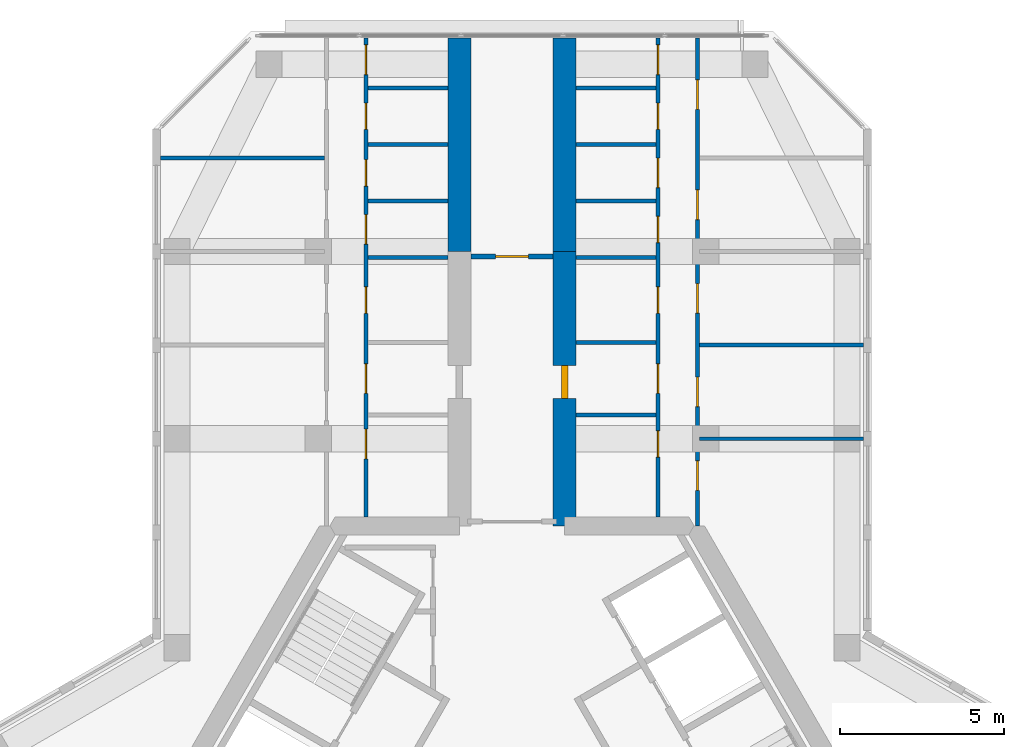
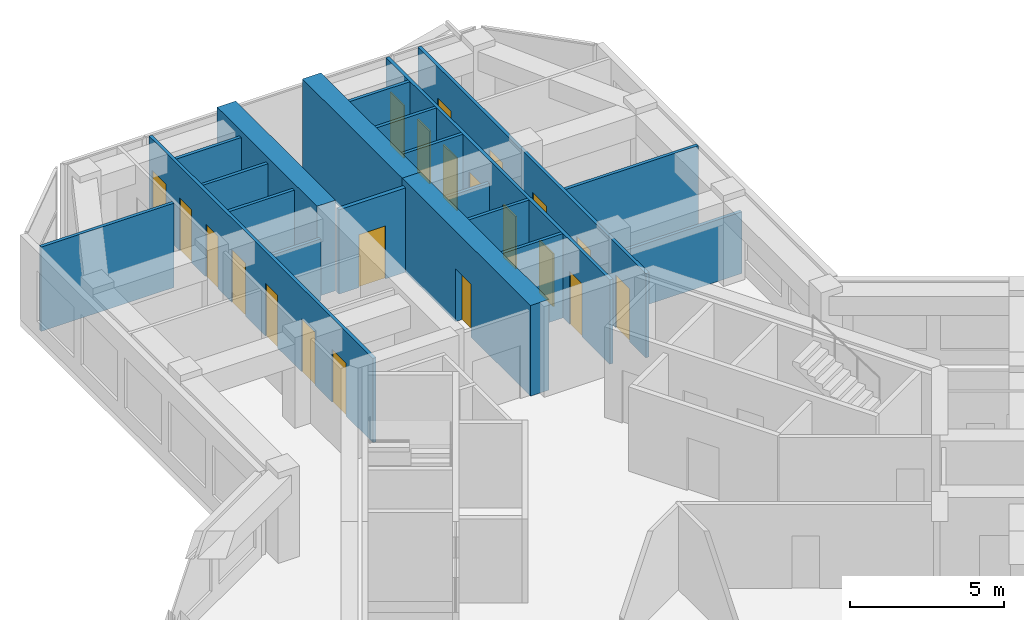
# One storey, part 12 of 14: 21 doors, 20 walls, 21 openings.
"""IFC4 building model written with IfcOpenShell, lengths in metres."""

from ifc_helpers import new_model, si_unit, direction, frame, frame_2d, origin, place, context, subcontext, project, spatial, rectangle, extrude, material, layer, layer_set, type_object, element, fill, save


model = new_model("IFC4")

# Units and contexts
model_context = context("Model", 3, precision=1e-05, world=origin(), true_north=direction((0.0, 1.0)))
body_context = subcontext(model_context, "Body", "Model", "MODEL_VIEW")
ifc_project = project(units=[si_unit("LENGTHUNIT", "METRE"), si_unit("AREAUNIT", "SQUARE_METRE"), si_unit("VOLUMEUNIT", "CUBIC_METRE"), si_unit("PLANEANGLEUNIT", "RADIAN"), si_unit("MASSUNIT", "GRAM", prefix="KILO")], contexts=[model_context])

# Site, building, storey
site_placement = place(None, origin())
site = spatial("IfcSite", under=ifc_project, at=site_placement, CompositionType="ELEMENT")
building_placement = place(site_placement, origin())
building = spatial("IfcBuilding", under=site, at=building_placement, Name="Kosmar Iwan School Tower", CompositionType="ELEMENT")
storey_placement = place(building_placement, frame((0.0, 0.0, 281.800048828125)))
storey = spatial("IfcBuildingStorey", under=building, at=storey_placement, Name="L71", CompositionType="ELEMENT", Elevation=281.800048828125)

# Wall
ifc_material_1 = material(Name="Concrete C50/60", Category="concrete")
ifc_layer_1 = layer(ifc_material_1, 0.699951171875)
ifc_layer_set_1 = layer_set([ifc_layer_1], Name="Corridor buttress wall 700")
wall_type_1 = type_object("IfcWallType", Name="Corridor buttress wall 700", PredefinedType="SHEAR", material=ifc_layer_set_1)
wall_1_placement = place(storey_placement, frame((-1.60009765625, 17.949951171875, 0.0), z_axis=(0.0, 0.0, 1.0), x_axis=(0.0, 1.0, 0.0)))
element("IfcWall", 1, at=wall_1_placement, inside=storey, type_object=wall_type_1, Name="Corridor wall AL bay 2", PredefinedType="SHEAR", context=body_context, shape_type="SweptSolid", body=[
    extrude(rectangle(XDim=6.4951171875, YDim=0.699951171875, at=frame_2d((3.24755859375, 0.0))), origin(), (0.0, 0.0, 1.0), 3.599853515625),
])

# Wall, opening, door
wall_2_placement = place(storey_placement, frame((1.60009765625, 9.60009765625, 0.0), z_axis=(0.0, 0.0, 1.0), x_axis=(0.0, 1.0, 0.0)))
wall_2 = element("IfcWall", 2, at=wall_2_placement, inside=storey, type_object=wall_type_1, Name="Corridor wall AR", PredefinedType="SHEAR", context=body_context, shape_type="SweptSolid", body=[
    extrude(rectangle(XDim=8.349853515625, YDim=0.699951171875, at=frame_2d((4.1748046875, 0.0))), origin(), (0.0, 0.0, 1.0), 3.599853515625),
])
opening_1_placement = place(wall_2_placement, frame((3.8798828125, 0.0, 0.0)))
opening_1 = element("IfcOpeningElement", 3, at=opening_1_placement, cuts=wall_2, Name="Opening D1", PredefinedType="OPENING", context=body_context, shape_type="SweptSolid", body=[
    extrude(rectangle(XDim=1.0, YDim=2.10009765625, at=frame_2d((0.5, 1.050048828125))), frame((0.0, 0.362060546875, 0.0), z_axis=(0.0, -1.0, 0.0), x_axis=(1.0, 0.0, 0.0)), (0.0, 0.0, 1.0), 0.723876953125),
])
ifc_material_2 = material(Name="Timber fire door in steel frame", Category="steel")
door_type_1 = type_object("IfcDoorType", Name="Flat entrance door 1000x2100", OperationType="SINGLE_SWING_LEFT", PredefinedType="DOOR", material=ifc_material_2)
door_1_placement = place(opening_1_placement, origin())
door_1 = element("IfcDoor", 4, at=door_1_placement, inside=storey, type_object=door_type_1, Name="Flat L71-AR1 entrance door", OperationType="SINGLE_SWING_RIGHT", OverallHeight=2.10009765625, OverallWidth=1.0, PredefinedType="DOOR", context=body_context, shape_type="SweptSolid", body=[
    extrude(rectangle(XDim=1.0, YDim=2.10009765625, at=frame_2d((0.5, 1.050048828125))), frame((0.0, 0.10009765625, 0.0), z_axis=(0.0, -1.0, 0.0), x_axis=(1.0, 0.0, 0.0)), (0.0, 0.0, 1.0), 0.199951171875),
])
fill(opening_1, door_1)

# Wall
wall_3_placement = place(storey_placement, frame((1.60009765625, 17.949951171875, 0.0), z_axis=(0.0, 0.0, 1.0), x_axis=(0.0, 1.0, 0.0)))
element("IfcWall", 5, at=wall_3_placement, inside=storey, type_object=wall_type_1, Name="Corridor wall AR bay 2", PredefinedType="SHEAR", context=body_context, shape_type="SweptSolid", body=[
    extrude(rectangle(XDim=6.4951171875, YDim=0.699951171875, at=frame_2d((3.24755859375, 0.0))), origin(), (0.0, 0.0, 1.0), 3.599853515625),
])

# Wall, opening, door
ifc_material_3 = material(Name="Gypsum board on steel studs, fire-rated", Category="steel")
ifc_layer_2 = layer(ifc_material_3, 0.14990234375)
ifc_layer_set_2 = layer_set([ifc_layer_2], Name="Corridor end wall 150")
wall_type_2 = type_object("IfcWallType", Name="Corridor end wall 150", PredefinedType="PARTITIONING", material=ifc_layer_set_2)
wall_4_placement = place(storey_placement, frame((1.25, 17.800048828125, 0.0), z_axis=(0.0, 0.0, 1.0), x_axis=(-1.0, 0.0, 0.0)))
wall_4 = element("IfcWall", 6, at=wall_4_placement, inside=storey, type_object=wall_type_2, Name="Partition L71-A-CE", PredefinedType="PARTITIONING", context=body_context, shape_type="SweptSolid", body=[
    extrude(rectangle(XDim=2.5, YDim=0.14990234375, at=frame_2d((1.25, 0.0))), origin(), (0.0, 0.0, 1.0), 3.349853515625),
])
opening_2_placement = place(wall_4_placement, frame((0.75, 0.0, 0.0)))
opening_2 = element("IfcOpeningElement", 7, at=opening_2_placement, cuts=wall_4, Name="Opening D13", PredefinedType="OPENING", context=body_context, shape_type="SweptSolid", body=[
    extrude(rectangle(XDim=1.0, YDim=2.10009765625, at=frame_2d((0.5, 1.050048828125))), frame((0.0, 0.0869140625, 0.0), z_axis=(0.0, -1.0, 0.0), x_axis=(1.0, 0.0, 0.0)), (0.0, 0.0, 1.0), 0.173828125),
])
ifc_material_4 = material(Name="Timber fire door with vision panel", Category="wood")
door_type_2 = type_object("IfcDoorType", Name="Corridor end door 1000x2100", OperationType="SINGLE_SWING_LEFT", PredefinedType="DOOR", material=ifc_material_4)
door_2_placement = place(opening_2_placement, origin())
door_2 = element("IfcDoor", 8, at=door_2_placement, inside=storey, type_object=door_type_2, Name="Laundry and drying room door L71-A", OperationType="SINGLE_SWING_LEFT", OverallHeight=2.10009765625, OverallWidth=1.0, PredefinedType="DOOR", context=body_context, shape_type="SweptSolid", body=[
    extrude(rectangle(XDim=1.0, YDim=2.10009765625, at=frame_2d((0.5, 1.050048828125))), frame((0.0, 0.02490234375, 0.0), z_axis=(0.0, -1.0, 0.0), x_axis=(1.0, 0.0, 0.0)), (0.0, 0.0, 1.0), 0.050048828125),
])
fill(opening_2, door_2)

# Wall, openings, doors
ifc_material_5 = material(Name="Gypsum board on steel studs", Category="steel")
ifc_layer_3 = layer(ifc_material_5, 0.1201171875)
ifc_layer_set_3 = layer_set([ifc_layer_3], Name="Dwelling partition 120")
wall_type_3 = type_object("IfcWallType", Name="Dwelling partition 120", PredefinedType="PARTITIONING", material=ifc_layer_set_3)
wall_5_placement = place(storey_placement, frame((-4.449951171875, 9.875, 0.0), z_axis=(0.0, 0.0, 1.0), x_axis=(0.0, 1.0, 0.0)))
wall_5 = element("IfcWall", 9, at=wall_5_placement, inside=storey, type_object=wall_type_3, Name="Partition L71-AL1-W1", PredefinedType="PARTITIONING", context=body_context, shape_type="SweptSolid", body=[
    extrude(rectangle(XDim=14.570068359375, YDim=0.1201171875, at=frame_2d((7.28515625, 0.0))), origin(), (0.0, 0.0, 1.0), 3.349853515625),
])
opening_3_placement = place(wall_5_placement, frame((1.764892578125, 0.0, 0.0)))
opening_3 = element("IfcOpeningElement", 10, at=opening_3_placement, cuts=wall_5, Name="Opening D2", PredefinedType="OPENING", context=body_context, shape_type="SweptSolid", body=[
    extrude(rectangle(XDim=0.89990234375, YDim=2.10009765625, at=frame_2d((0.449951171875, 1.050048828125))), frame((0.0, 0.072021484375, 0.0), z_axis=(0.0, -1.0, 0.0), x_axis=(1.0, 0.0, 0.0)), (0.0, 0.0, 1.0), 0.14404296875),
])
opening_4_placement = place(wall_5_placement, frame((3.755126953125, 0.0, 0.0)))
opening_4 = element("IfcOpeningElement", 11, at=opening_4_placement, cuts=wall_5, Name="Opening D2", PredefinedType="OPENING", context=body_context, shape_type="SweptSolid", body=[
    extrude(rectangle(XDim=0.89990234375, YDim=2.10009765625, at=frame_2d((0.449951171875, 1.050048828125))), frame((0.0, 0.072021484375, 0.0), z_axis=(0.0, -1.0, 0.0), x_axis=(1.0, 0.0, 0.0)), (0.0, 0.0, 1.0), 0.14404296875),
])
opening_5_placement = place(wall_5_placement, frame((6.1962890625, 0.0, 0.0)))
opening_5 = element("IfcOpeningElement", 12, at=opening_5_placement, cuts=wall_5, Name="Opening D3", PredefinedType="OPENING", context=body_context, shape_type="SweptSolid", body=[
    extrude(rectangle(XDim=0.800048828125, YDim=2.10009765625, at=frame_2d((0.39990234375, 1.050048828125))), frame((0.0, 0.072021484375, 0.0), z_axis=(0.0, -1.0, 0.0), x_axis=(1.0, 0.0, 0.0)), (0.0, 0.0, 1.0), 0.14404296875),
])
opening_6_placement = place(wall_5_placement, frame((8.298583984375, 0.0, 0.0)))
opening_6 = element("IfcOpeningElement", 13, at=opening_6_placement, cuts=wall_5, Name="Opening D2", PredefinedType="OPENING", context=body_context, shape_type="SweptSolid", body=[
    extrude(rectangle(XDim=0.89990234375, YDim=2.10009765625, at=frame_2d((0.449951171875, 1.050048828125))), frame((0.0, 0.072021484375, 0.0), z_axis=(0.0, -1.0, 0.0), x_axis=(1.0, 0.0, 0.0)), (0.0, 0.0, 1.0), 0.14404296875),
])
opening_7_placement = place(wall_5_placement, frame((10.070556640625, 0.0, 0.0)))
opening_7 = element("IfcOpeningElement", 14, at=opening_7_placement, cuts=wall_5, Name="Opening D3", PredefinedType="OPENING", context=body_context, shape_type="SweptSolid", body=[
    extrude(rectangle(XDim=0.800048828125, YDim=2.10009765625, at=frame_2d((0.39990234375, 1.050048828125))), frame((0.0, 0.072021484375, 0.0), z_axis=(0.0, -1.0, 0.0), x_axis=(1.0, 0.0, 0.0)), (0.0, 0.0, 1.0), 0.14404296875),
])
opening_8_placement = place(wall_5_placement, frame((11.792236328125, 0.0, 0.0)))
opening_8 = element("IfcOpeningElement", 15, at=opening_8_placement, cuts=wall_5, Name="Opening D3", PredefinedType="OPENING", context=body_context, shape_type="SweptSolid", body=[
    extrude(rectangle(XDim=0.800048828125, YDim=2.10009765625, at=frame_2d((0.39990234375, 1.050048828125))), frame((0.0, 0.072021484375, 0.0), z_axis=(0.0, -1.0, 0.0), x_axis=(1.0, 0.0, 0.0)), (0.0, 0.0, 1.0), 0.14404296875),
])
opening_9_placement = place(wall_5_placement, frame((13.464111328125, 0.0, 0.0)))
opening_9 = element("IfcOpeningElement", 16, at=opening_9_placement, cuts=wall_5, Name="Opening D2", PredefinedType="OPENING", context=body_context, shape_type="SweptSolid", body=[
    extrude(rectangle(XDim=0.89990234375, YDim=2.10009765625, at=frame_2d((0.449951171875, 1.050048828125))), frame((0.0, 0.072021484375, 0.0), z_axis=(0.0, -1.0, 0.0), x_axis=(1.0, 0.0, 0.0)), (0.0, 0.0, 1.0), 0.14404296875),
])
ifc_material_6 = material(Name="Timber door in timber frame", Category="wood")
door_type_3 = type_object("IfcDoorType", Name="Internal door 900x2100", OperationType="SINGLE_SWING_LEFT", PredefinedType="DOOR", material=ifc_material_6)
door_3_placement = place(opening_3_placement, origin())
door_3 = element("IfcDoor", 17, at=door_3_placement, inside=storey, type_object=door_type_3, Name="Utility room door L71-AL1-S1", OperationType="SINGLE_SWING_LEFT", OverallHeight=2.10009765625, OverallWidth=0.89990234375, PredefinedType="DOOR", context=body_context, shape_type="SweptSolid", body=[
    extrude(rectangle(XDim=0.89990234375, YDim=2.10009765625, at=frame_2d((0.449951171875, 1.050048828125))), frame((0.0, 0.02490234375, 0.0), z_axis=(0.0, -1.0, 0.0), x_axis=(1.0, 0.0, 0.0)), (0.0, 0.0, 1.0), 0.050048828125),
])
fill(opening_3, door_3)
door_4_placement = place(opening_4_placement, origin())
door_4 = element("IfcDoor", 18, at=door_4_placement, inside=storey, type_object=door_type_3, Name="Entrance hall door L71-AL1-S2", OperationType="SINGLE_SWING_LEFT", OverallHeight=2.10009765625, OverallWidth=0.89990234375, PredefinedType="DOOR", context=body_context, shape_type="SweptSolid", body=[
    extrude(rectangle(XDim=0.89990234375, YDim=2.10009765625, at=frame_2d((0.449951171875, 1.050048828125))), frame((0.0, 0.02490234375, 0.0), z_axis=(0.0, -1.0, 0.0), x_axis=(1.0, 0.0, 0.0)), (0.0, 0.0, 1.0), 0.050048828125),
])
fill(opening_4, door_4)
door_5_placement = place(opening_6_placement, origin())
door_5 = element("IfcDoor", 19, at=door_5_placement, inside=storey, type_object=door_type_3, Name="Pantry door L71-AL1-S4", OperationType="SINGLE_SWING_RIGHT", OverallHeight=2.10009765625, OverallWidth=0.89990234375, PredefinedType="DOOR", context=body_context, shape_type="SweptSolid", body=[
    extrude(rectangle(XDim=0.89990234375, YDim=2.10009765625, at=frame_2d((0.449951171875, 1.050048828125))), frame((0.0, 0.02490234375, 0.0), z_axis=(0.0, -1.0, 0.0), x_axis=(1.0, 0.0, 0.0)), (0.0, 0.0, 1.0), 0.050048828125),
])
fill(opening_6, door_5)
door_6_placement = place(opening_9_placement, origin())
door_6 = element("IfcDoor", 20, at=door_6_placement, inside=storey, type_object=door_type_3, Name="Dressing room door L71-AL1-S7", OperationType="SINGLE_SWING_RIGHT", OverallHeight=2.10009765625, OverallWidth=0.89990234375, PredefinedType="DOOR", context=body_context, shape_type="SweptSolid", body=[
    extrude(rectangle(XDim=0.89990234375, YDim=2.10009765625, at=frame_2d((0.449951171875, 1.050048828125))), frame((0.0, 0.02490234375, 0.0), z_axis=(0.0, -1.0, 0.0), x_axis=(1.0, 0.0, 0.0)), (0.0, 0.0, 1.0), 0.050048828125),
])
fill(opening_9, door_6)
ifc_material_7 = material(Name="Timber door in timber frame", Category="wood")
door_type_4 = type_object("IfcDoorType", Name="Sanitary room door 800x2100", OperationType="SINGLE_SWING_LEFT", PredefinedType="DOOR", material=ifc_material_7)
door_7_placement = place(opening_5_placement, origin())
door_7 = element("IfcDoor", 21, at=door_7_placement, inside=storey, type_object=door_type_4, Name="Bathroom door L71-AL1-S3", OperationType="SINGLE_SWING_LEFT", OverallHeight=2.10009765625, OverallWidth=0.800048828125, PredefinedType="DOOR", context=body_context, shape_type="SweptSolid", body=[
    extrude(rectangle(XDim=0.800048828125, YDim=2.10009765625, at=frame_2d((0.39990234375, 1.050048828125))), frame((0.0, 0.02490234375, 0.0), z_axis=(0.0, -1.0, 0.0), x_axis=(1.0, 0.0, 0.0)), (0.0, 0.0, 1.0), 0.050048828125),
])
fill(opening_5, door_7)
door_8_placement = place(opening_7_placement, origin())
door_8 = element("IfcDoor", 22, at=door_8_placement, inside=storey, type_object=door_type_4, Name="WC door L71-AL1-S5", OperationType="SINGLE_SWING_RIGHT", OverallHeight=2.10009765625, OverallWidth=0.800048828125, PredefinedType="DOOR", context=body_context, shape_type="SweptSolid", body=[
    extrude(rectangle(XDim=0.800048828125, YDim=2.10009765625, at=frame_2d((0.39990234375, 1.050048828125))), frame((0.0, 0.02490234375, 0.0), z_axis=(0.0, -1.0, 0.0), x_axis=(1.0, 0.0, 0.0)), (0.0, 0.0, 1.0), 0.050048828125),
])
fill(opening_7, door_8)
door_9_placement = place(opening_8_placement, origin())
door_9 = element("IfcDoor", 23, at=door_9_placement, inside=storey, type_object=door_type_4, Name="Store door L71-AL1-S6", OperationType="SINGLE_SWING_RIGHT", OverallHeight=2.10009765625, OverallWidth=0.800048828125, PredefinedType="DOOR", context=body_context, shape_type="SweptSolid", body=[
    extrude(rectangle(XDim=0.800048828125, YDim=2.10009765625, at=frame_2d((0.39990234375, 1.050048828125))), frame((0.0, 0.02490234375, 0.0), z_axis=(0.0, -1.0, 0.0), x_axis=(1.0, 0.0, 0.0)), (0.0, 0.0, 1.0), 0.050048828125),
])
fill(opening_8, door_9)

# Walls
wall_6_placement = place(storey_placement, frame((-5.7099609375, 20.800048828125, 0.0), z_axis=(0.0, 0.0, 1.0), x_axis=(-1.0, 0.0, 0.0)))
element("IfcWall", 24, at=wall_6_placement, inside=storey, type_object=wall_type_3, Name="Partition L71-AL1-X3", PredefinedType="PARTITIONING", context=body_context, shape_type="SweptSolid", body=[
    extrude(rectangle(XDim=4.989990234375, YDim=0.1201171875, at=frame_2d((2.4951171875, 0.0))), origin(), (0.0, 0.0, 1.0), 3.349853515625),
])
wall_7_placement = place(storey_placement, frame((-1.949951171875, 17.7626953125, 0.0), z_axis=(0.0, 0.0, 1.0), x_axis=(-1.0, 0.0, 0.0)))
element("IfcWall", 25, at=wall_7_placement, inside=storey, type_object=wall_type_3, Name="Partition L71-AL1-Y3", PredefinedType="PARTITIONING", context=body_context, shape_type="SweptSolid", body=[
    extrude(rectangle(XDim=2.43994140625, YDim=0.1201171875, at=frame_2d((1.219970703125, 0.0))), origin(), (0.0, 0.0, 1.0), 2.449951171875),
])
for number, where, z_axis, x_axis, name in (
    (26, (-1.949951171875, 19.484619140625, 0.0), (0.0, 0.0, 1.0), (-1.0, 0.0, 0.0), "Partition L71-AL1-Y4"),
    (27, (-1.949951171875, 21.206298828125, 0.0), (0.0, 0.0, 1.0), (-1.0, 0.0, 0.0), "Partition L71-AL1-Y5"),
    (28, (-1.949951171875, 22.92822265625, 0.0), (0.0, 0.0, 1.0), (-1.0, 0.0, 0.0), "Partition L71-AL1-Y6"),
):
    element("IfcWall", number, at=place(storey_placement, frame(where, z_axis=z_axis, x_axis=x_axis)), inside=storey, type_object=wall_type_3, Name=name, PredefinedType="PARTITIONING", context=body_context, shape_type="SweptSolid", body=[
        extrude(rectangle(XDim=2.43994140625, YDim=0.1201171875, at=frame_2d((1.219970703125, 0.0))), origin(), (0.0, 0.0, 1.0), 3.349853515625),
    ])

# Wall, openings, doors
wall_8_placement = place(storey_placement, frame((4.449951171875, 9.875, 0.0), z_axis=(0.0, 0.0, 1.0), x_axis=(0.0, 1.0, 0.0)))
wall_8 = element("IfcWall", 29, at=wall_8_placement, inside=storey, type_object=wall_type_3, Name="Partition L71-AR1-W1", PredefinedType="PARTITIONING", context=body_context, shape_type="SweptSolid", body=[
    extrude(rectangle(XDim=14.570068359375, YDim=0.1201171875, at=frame_2d((7.28515625, 0.0))), origin(), (0.0, 0.0, 1.0), 3.349853515625),
])
opening_10_placement = place(wall_8_placement, frame((1.81494140625, 0.0, 0.0)))
opening_10 = element("IfcOpeningElement", 30, at=opening_10_placement, cuts=wall_8, Name="Opening D3", PredefinedType="OPENING", context=body_context, shape_type="SweptSolid", body=[
    extrude(rectangle(XDim=0.800048828125, YDim=2.10009765625, at=frame_2d((0.39990234375, 1.050048828125))), frame((0.0, 0.072021484375, 0.0), z_axis=(0.0, -1.0, 0.0), x_axis=(1.0, 0.0, 0.0)), (0.0, 0.0, 1.0), 0.14404296875),
])
opening_11_placement = place(wall_8_placement, frame((3.755126953125, 0.0, 0.0)))
opening_11 = element("IfcOpeningElement", 31, at=opening_11_placement, cuts=wall_8, Name="Opening D2", PredefinedType="OPENING", context=body_context, shape_type="SweptSolid", body=[
    extrude(rectangle(XDim=0.89990234375, YDim=2.10009765625, at=frame_2d((0.449951171875, 1.050048828125))), frame((0.0, 0.072021484375, 0.0), z_axis=(0.0, -1.0, 0.0), x_axis=(1.0, 0.0, 0.0)), (0.0, 0.0, 1.0), 0.14404296875),
])
opening_12_placement = place(wall_8_placement, frame((6.1962890625, 0.0, 0.0)))
opening_12 = element("IfcOpeningElement", 32, at=opening_12_placement, cuts=wall_8, Name="Opening D3", PredefinedType="OPENING", context=body_context, shape_type="SweptSolid", body=[
    extrude(rectangle(XDim=0.800048828125, YDim=2.10009765625, at=frame_2d((0.39990234375, 1.050048828125))), frame((0.0, 0.072021484375, 0.0), z_axis=(0.0, -1.0, 0.0), x_axis=(1.0, 0.0, 0.0)), (0.0, 0.0, 1.0), 0.14404296875),
])
opening_13_placement = place(wall_8_placement, frame((8.3486328125, 0.0, 0.0)))
opening_13 = element("IfcOpeningElement", 33, at=opening_13_placement, cuts=wall_8, Name="Opening D3", PredefinedType="OPENING", context=body_context, shape_type="SweptSolid", body=[
    extrude(rectangle(XDim=0.800048828125, YDim=2.10009765625, at=frame_2d((0.39990234375, 1.050048828125))), frame((0.0, 0.072021484375, 0.0), z_axis=(0.0, -1.0, 0.0), x_axis=(1.0, 0.0, 0.0)), (0.0, 0.0, 1.0), 0.14404296875),
])
opening_14_placement = place(wall_8_placement, frame((10.0205078125, 0.0, 0.0)))
opening_14 = element("IfcOpeningElement", 34, at=opening_14_placement, cuts=wall_8, Name="Opening D2", PredefinedType="OPENING", context=body_context, shape_type="SweptSolid", body=[
    extrude(rectangle(XDim=0.89990234375, YDim=2.10009765625, at=frame_2d((0.449951171875, 1.050048828125))), frame((0.0, 0.072021484375, 0.0), z_axis=(0.0, -1.0, 0.0), x_axis=(1.0, 0.0, 0.0)), (0.0, 0.0, 1.0), 0.14404296875),
])
opening_15_placement = place(wall_8_placement, frame((11.792236328125, 0.0, 0.0)))
opening_15 = element("IfcOpeningElement", 35, at=opening_15_placement, cuts=wall_8, Name="Opening D3", PredefinedType="OPENING", context=body_context, shape_type="SweptSolid", body=[
    extrude(rectangle(XDim=0.800048828125, YDim=2.10009765625, at=frame_2d((0.39990234375, 1.050048828125))), frame((0.0, 0.072021484375, 0.0), z_axis=(0.0, -1.0, 0.0), x_axis=(1.0, 0.0, 0.0)), (0.0, 0.0, 1.0), 0.14404296875),
])
opening_16_placement = place(wall_8_placement, frame((13.464111328125, 0.0, 0.0)))
opening_16 = element("IfcOpeningElement", 36, at=opening_16_placement, cuts=wall_8, Name="Opening D2", PredefinedType="OPENING", context=body_context, shape_type="SweptSolid", body=[
    extrude(rectangle(XDim=0.89990234375, YDim=2.10009765625, at=frame_2d((0.449951171875, 1.050048828125))), frame((0.0, 0.072021484375, 0.0), z_axis=(0.0, -1.0, 0.0), x_axis=(1.0, 0.0, 0.0)), (0.0, 0.0, 1.0), 0.14404296875),
])
door_10_placement = place(opening_11_placement, origin())
door_10 = element("IfcDoor", 37, at=door_10_placement, inside=storey, type_object=door_type_3, Name="Entrance hall door L71-AR1-S2", OperationType="SINGLE_SWING_LEFT", OverallHeight=2.10009765625, OverallWidth=0.89990234375, PredefinedType="DOOR", context=body_context, shape_type="SweptSolid", body=[
    extrude(rectangle(XDim=0.89990234375, YDim=2.10009765625, at=frame_2d((0.449951171875, 1.050048828125))), frame((0.0, 0.02490234375, 0.0), z_axis=(0.0, -1.0, 0.0), x_axis=(1.0, 0.0, 0.0)), (0.0, 0.0, 1.0), 0.050048828125),
])
fill(opening_11, door_10)
door_11_placement = place(opening_14_placement, origin())
door_11 = element("IfcDoor", 38, at=door_11_placement, inside=storey, type_object=door_type_3, Name="Pantry door L71-AR1-S5", OperationType="SINGLE_SWING_RIGHT", OverallHeight=2.10009765625, OverallWidth=0.89990234375, PredefinedType="DOOR", context=body_context, shape_type="SweptSolid", body=[
    extrude(rectangle(XDim=0.89990234375, YDim=2.10009765625, at=frame_2d((0.449951171875, 1.050048828125))), frame((0.0, 0.02490234375, 0.0), z_axis=(0.0, -1.0, 0.0), x_axis=(1.0, 0.0, 0.0)), (0.0, 0.0, 1.0), 0.050048828125),
])
fill(opening_14, door_11)
door_12_placement = place(opening_16_placement, origin())
door_12 = element("IfcDoor", 39, at=door_12_placement, inside=storey, type_object=door_type_3, Name="Utility room door L71-AR1-S7", OperationType="SINGLE_SWING_RIGHT", OverallHeight=2.10009765625, OverallWidth=0.89990234375, PredefinedType="DOOR", context=body_context, shape_type="SweptSolid", body=[
    extrude(rectangle(XDim=0.89990234375, YDim=2.10009765625, at=frame_2d((0.449951171875, 1.050048828125))), frame((0.0, 0.02490234375, 0.0), z_axis=(0.0, -1.0, 0.0), x_axis=(1.0, 0.0, 0.0)), (0.0, 0.0, 1.0), 0.050048828125),
])
fill(opening_16, door_12)
door_13_placement = place(opening_10_placement, origin())
door_13 = element("IfcDoor", 40, at=door_13_placement, inside=storey, type_object=door_type_4, Name="Store door L71-AR1-S1", OperationType="SINGLE_SWING_RIGHT", OverallHeight=2.10009765625, OverallWidth=0.800048828125, PredefinedType="DOOR", context=body_context, shape_type="SweptSolid", body=[
    extrude(rectangle(XDim=0.800048828125, YDim=2.10009765625, at=frame_2d((0.39990234375, 1.050048828125))), frame((0.0, 0.02490234375, 0.0), z_axis=(0.0, -1.0, 0.0), x_axis=(1.0, 0.0, 0.0)), (0.0, 0.0, 1.0), 0.050048828125),
])
fill(opening_10, door_13)
door_14_placement = place(opening_12_placement, origin())
door_14 = element("IfcDoor", 41, at=door_14_placement, inside=storey, type_object=door_type_4, Name="Bathroom door L71-AR1-S3", OperationType="SINGLE_SWING_RIGHT", OverallHeight=2.10009765625, OverallWidth=0.800048828125, PredefinedType="DOOR", context=body_context, shape_type="SweptSolid", body=[
    extrude(rectangle(XDim=0.800048828125, YDim=2.10009765625, at=frame_2d((0.39990234375, 1.050048828125))), frame((0.0, 0.02490234375, 0.0), z_axis=(0.0, -1.0, 0.0), x_axis=(1.0, 0.0, 0.0)), (0.0, 0.0, 1.0), 0.050048828125),
])
fill(opening_12, door_14)
door_15_placement = place(opening_13_placement, origin())
door_15 = element("IfcDoor", 42, at=door_15_placement, inside=storey, type_object=door_type_4, Name="Shower room door L71-AR1-S4", OperationType="SINGLE_SWING_LEFT", OverallHeight=2.10009765625, OverallWidth=0.800048828125, PredefinedType="DOOR", context=body_context, shape_type="SweptSolid", body=[
    extrude(rectangle(XDim=0.800048828125, YDim=2.10009765625, at=frame_2d((0.39990234375, 1.050048828125))), frame((0.0, 0.02490234375, 0.0), z_axis=(0.0, -1.0, 0.0), x_axis=(1.0, 0.0, 0.0)), (0.0, 0.0, 1.0), 0.050048828125),
])
fill(opening_13, door_15)
door_16_placement = place(opening_15_placement, origin())
door_16 = element("IfcDoor", 43, at=door_16_placement, inside=storey, type_object=door_type_4, Name="WC door L71-AR1-S6", OperationType="SINGLE_SWING_LEFT", OverallHeight=2.10009765625, OverallWidth=0.800048828125, PredefinedType="DOOR", context=body_context, shape_type="SweptSolid", body=[
    extrude(rectangle(XDim=0.800048828125, YDim=2.10009765625, at=frame_2d((0.39990234375, 1.050048828125))), frame((0.0, 0.02490234375, 0.0), z_axis=(0.0, -1.0, 0.0), x_axis=(1.0, 0.0, 0.0)), (0.0, 0.0, 1.0), 0.050048828125),
])
fill(opening_15, door_16)

wall_9_placement = place(storey_placement, frame((5.64990234375, 9.60009765625, 0.0), z_axis=(0.0, 0.0, 1.0), x_axis=(0.0, 1.0, 0.0)))
wall_9 = element("IfcWall", 44, at=wall_9_placement, inside=storey, type_object=wall_type_3, Name="Partition L71-AR1-W2", PredefinedType="PARTITIONING", context=body_context, shape_type="SweptSolid", body=[
    extrude(rectangle(XDim=14.844970703125, YDim=0.1201171875, at=frame_2d((7.42236328125, 0.0))), origin(), (0.0, 0.0, 1.0), 3.349853515625),
])
opening_17_placement = place(wall_9_placement, frame((1.074951171875, 0.0, 0.0)))
opening_17 = element("IfcOpeningElement", 45, at=opening_17_placement, cuts=wall_9, Name="Opening D2", PredefinedType="OPENING", context=body_context, shape_type="SweptSolid", body=[
    extrude(rectangle(XDim=0.89990234375, YDim=2.10009765625, at=frame_2d((0.449951171875, 1.050048828125))), frame((0.0, 0.072021484375, 0.0), z_axis=(0.0, -1.0, 0.0), x_axis=(1.0, 0.0, 0.0)), (0.0, 0.0, 1.0), 0.14404296875),
])
opening_18_placement = place(wall_9_placement, frame((3.625, 0.0, 0.0)))
opening_18 = element("IfcOpeningElement", 46, at=opening_18_placement, cuts=wall_9, Name="Opening D2", PredefinedType="OPENING", context=body_context, shape_type="SweptSolid", body=[
    extrude(rectangle(XDim=0.89990234375, YDim=2.10009765625, at=frame_2d((0.449951171875, 1.050048828125))), frame((0.0, 0.072021484375, 0.0), z_axis=(0.0, -1.0, 0.0), x_axis=(1.0, 0.0, 0.0)), (0.0, 0.0, 1.0), 0.14404296875),
])
opening_19_placement = place(wall_9_placement, frame((6.47509765625, 0.0, 0.0)))
opening_19 = element("IfcOpeningElement", 47, at=opening_19_placement, cuts=wall_9, Name="Opening D2", PredefinedType="OPENING", context=body_context, shape_type="SweptSolid", body=[
    extrude(rectangle(XDim=0.89990234375, YDim=2.10009765625, at=frame_2d((0.449951171875, 1.050048828125))), frame((0.0, 0.072021484375, 0.0), z_axis=(0.0, -1.0, 0.0), x_axis=(1.0, 0.0, 0.0)), (0.0, 0.0, 1.0), 0.14404296875),
])
opening_20_placement = place(wall_9_placement, frame((9.324951171875, 0.0, 0.0)))
opening_20 = element("IfcOpeningElement", 48, at=opening_20_placement, cuts=wall_9, Name="Opening D2", PredefinedType="OPENING", context=body_context, shape_type="SweptSolid", body=[
    extrude(rectangle(XDim=0.89990234375, YDim=2.10009765625, at=frame_2d((0.449951171875, 1.050048828125))), frame((0.0, 0.072021484375, 0.0), z_axis=(0.0, -1.0, 0.0), x_axis=(1.0, 0.0, 0.0)), (0.0, 0.0, 1.0), 0.14404296875),
])
opening_21_placement = place(wall_9_placement, frame((12.675048828125, 0.0, 0.0)))
opening_21 = element("IfcOpeningElement", 49, at=opening_21_placement, cuts=wall_9, Name="Opening D2", PredefinedType="OPENING", context=body_context, shape_type="SweptSolid", body=[
    extrude(rectangle(XDim=0.89990234375, YDim=2.10009765625, at=frame_2d((0.449951171875, 1.050048828125))), frame((0.0, 0.072021484375, 0.0), z_axis=(0.0, -1.0, 0.0), x_axis=(1.0, 0.0, 0.0)), (0.0, 0.0, 1.0), 0.14404296875),
])
door_17_placement = place(opening_17_placement, origin())
door_17 = element("IfcDoor", 50, at=door_17_placement, inside=storey, type_object=door_type_3, Name="Living room and kitchen door L71-AR1-F1", OperationType="SINGLE_SWING_LEFT", OverallHeight=2.10009765625, OverallWidth=0.89990234375, PredefinedType="DOOR", context=body_context, shape_type="SweptSolid", body=[
    extrude(rectangle(XDim=0.89990234375, YDim=2.10009765625, at=frame_2d((0.449951171875, 1.050048828125))), frame((0.0, 0.02490234375, 0.0), z_axis=(0.0, -1.0, 0.0), x_axis=(1.0, 0.0, 0.0)), (0.0, 0.0, 1.0), 0.050048828125),
])
fill(opening_17, door_17)
door_18_placement = place(opening_18_placement, origin())
door_18 = element("IfcDoor", 51, at=door_18_placement, inside=storey, type_object=door_type_3, Name="Study door L71-AR1-F2", OperationType="SINGLE_SWING_LEFT", OverallHeight=2.10009765625, OverallWidth=0.89990234375, PredefinedType="DOOR", context=body_context, shape_type="SweptSolid", body=[
    extrude(rectangle(XDim=0.89990234375, YDim=2.10009765625, at=frame_2d((0.449951171875, 1.050048828125))), frame((0.0, 0.02490234375, 0.0), z_axis=(0.0, -1.0, 0.0), x_axis=(1.0, 0.0, 0.0)), (0.0, 0.0, 1.0), 0.050048828125),
])
fill(opening_18, door_18)
door_19_placement = place(opening_19_placement, origin())
door_19 = element("IfcDoor", 52, at=door_19_placement, inside=storey, type_object=door_type_3, Name="Bedroom 2 door L71-AR1-F3", OperationType="SINGLE_SWING_LEFT", OverallHeight=2.10009765625, OverallWidth=0.89990234375, PredefinedType="DOOR", context=body_context, shape_type="SweptSolid", body=[
    extrude(rectangle(XDim=0.89990234375, YDim=2.10009765625, at=frame_2d((0.449951171875, 1.050048828125))), frame((0.0, 0.02490234375, 0.0), z_axis=(0.0, -1.0, 0.0), x_axis=(1.0, 0.0, 0.0)), (0.0, 0.0, 1.0), 0.050048828125),
])
fill(opening_19, door_19)
door_20_placement = place(opening_20_placement, origin())
door_20 = element("IfcDoor", 53, at=door_20_placement, inside=storey, type_object=door_type_3, Name="Dining room door L71-AR1-F4", OperationType="SINGLE_SWING_RIGHT", OverallHeight=2.10009765625, OverallWidth=0.89990234375, PredefinedType="DOOR", context=body_context, shape_type="SweptSolid", body=[
    extrude(rectangle(XDim=0.89990234375, YDim=2.10009765625, at=frame_2d((0.449951171875, 1.050048828125))), frame((0.0, 0.02490234375, 0.0), z_axis=(0.0, -1.0, 0.0), x_axis=(1.0, 0.0, 0.0)), (0.0, 0.0, 1.0), 0.050048828125),
])
fill(opening_20, door_20)
door_21_placement = place(opening_21_placement, origin())
door_21 = element("IfcDoor", 54, at=door_21_placement, inside=storey, type_object=door_type_3, Name="Bedroom 1 door L71-AR1-F5", OperationType="SINGLE_SWING_RIGHT", OverallHeight=2.10009765625, OverallWidth=0.89990234375, PredefinedType="DOOR", context=body_context, shape_type="SweptSolid", body=[
    extrude(rectangle(XDim=0.89990234375, YDim=2.10009765625, at=frame_2d((0.449951171875, 1.050048828125))), frame((0.0, 0.02490234375, 0.0), z_axis=(0.0, -1.0, 0.0), x_axis=(1.0, 0.0, 0.0)), (0.0, 0.0, 1.0), 0.050048828125),
])
fill(opening_21, door_21)

# Walls
wall_10_placement = place(storey_placement, frame((5.7099609375, 12.25, 0.0), z_axis=(0.0, 0.0, 1.0), x_axis=(1.0, 0.0, 0.0)))
element("IfcWall", 55, at=wall_10_placement, inside=storey, type_object=wall_type_3, Name="Partition L71-AR1-X1", PredefinedType="PARTITIONING", context=body_context, shape_type="SweptSolid", body=[
    extrude(rectangle(XDim=4.989990234375, YDim=0.1201171875, at=frame_2d((2.4951171875, 0.0))), origin(), (0.0, 0.0, 1.0), 2.449951171875),
])
wall_11_placement = place(storey_placement, frame((5.7099609375, 15.10009765625, 0.0), z_axis=(0.0, 0.0, 1.0), x_axis=(1.0, 0.0, 0.0)))
element("IfcWall", 56, at=wall_11_placement, inside=storey, type_object=wall_type_3, Name="Partition L71-AR1-X2", PredefinedType="PARTITIONING", context=body_context, shape_type="SweptSolid", body=[
    extrude(rectangle(XDim=4.989990234375, YDim=0.1201171875, at=frame_2d((2.4951171875, 0.0))), origin(), (0.0, 0.0, 1.0), 3.349853515625),
])
for number, where, z_axis, x_axis, name in (
    (57, (1.949951171875, 12.97998046875, 0.0), (0.0, 0.0, 1.0), (1.0, 0.0, 0.0), "Partition L71-AR1-Y1"),
    (58, (1.949951171875, 15.179931640625, 0.0), (0.0, 0.0, 1.0), (1.0, 0.0, 0.0), "Partition L71-AR1-Y2"),
):
    element("IfcWall", number, at=place(storey_placement, frame(where, z_axis=z_axis, x_axis=x_axis)), inside=storey, type_object=wall_type_3, Name=name, PredefinedType="PARTITIONING", context=body_context, shape_type="SweptSolid", body=[
        extrude(rectangle(XDim=2.43994140625, YDim=0.1201171875, at=frame_2d((1.219970703125, 0.0))), origin(), (0.0, 0.0, 1.0), 3.349853515625),
    ])
wall_12_placement = place(storey_placement, frame((1.949951171875, 17.7626953125, 0.0), z_axis=(0.0, 0.0, 1.0), x_axis=(1.0, 0.0, 0.0)))
element("IfcWall", 59, at=wall_12_placement, inside=storey, type_object=wall_type_3, Name="Partition L71-AR1-Y3", PredefinedType="PARTITIONING", context=body_context, shape_type="SweptSolid", body=[
    extrude(rectangle(XDim=2.43994140625, YDim=0.1201171875, at=frame_2d((1.219970703125, 0.0))), origin(), (0.0, 0.0, 1.0), 2.449951171875),
])
for number, where, z_axis, x_axis, name in (
    (60, (1.949951171875, 19.484619140625, 0.0), (0.0, 0.0, 1.0), (1.0, 0.0, 0.0), "Partition L71-AR1-Y4"),
    (61, (1.949951171875, 21.206298828125, 0.0), (0.0, 0.0, 1.0), (1.0, 0.0, 0.0), "Partition L71-AR1-Y5"),
    (62, (1.949951171875, 22.92822265625, 0.0), (0.0, 0.0, 1.0), (1.0, 0.0, 0.0), "Partition L71-AR1-Y6"),
):
    element("IfcWall", number, at=place(storey_placement, frame(where, z_axis=z_axis, x_axis=x_axis)), inside=storey, type_object=wall_type_3, Name=name, PredefinedType="PARTITIONING", context=body_context, shape_type="SweptSolid", body=[
        extrude(rectangle(XDim=2.43994140625, YDim=0.1201171875, at=frame_2d((1.219970703125, 0.0))), origin(), (0.0, 0.0, 1.0), 3.349853515625),
    ])

save(model, "model.ifc")
